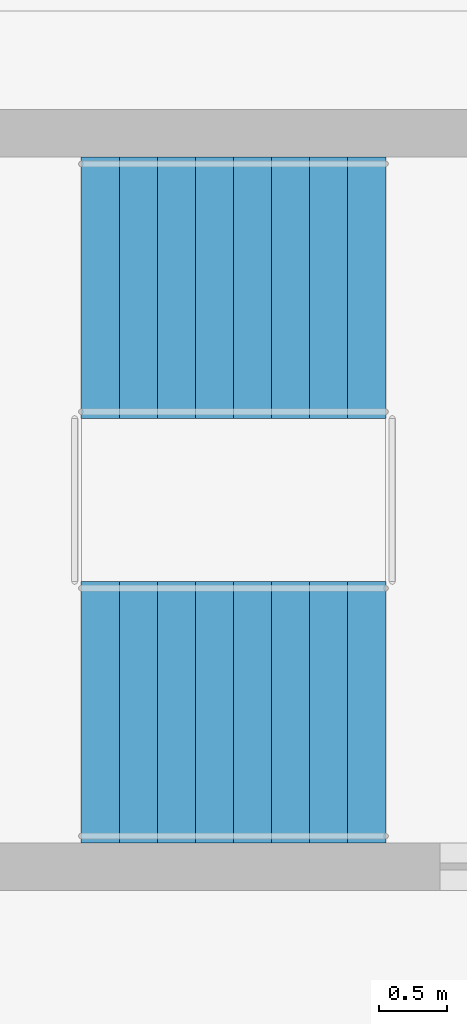
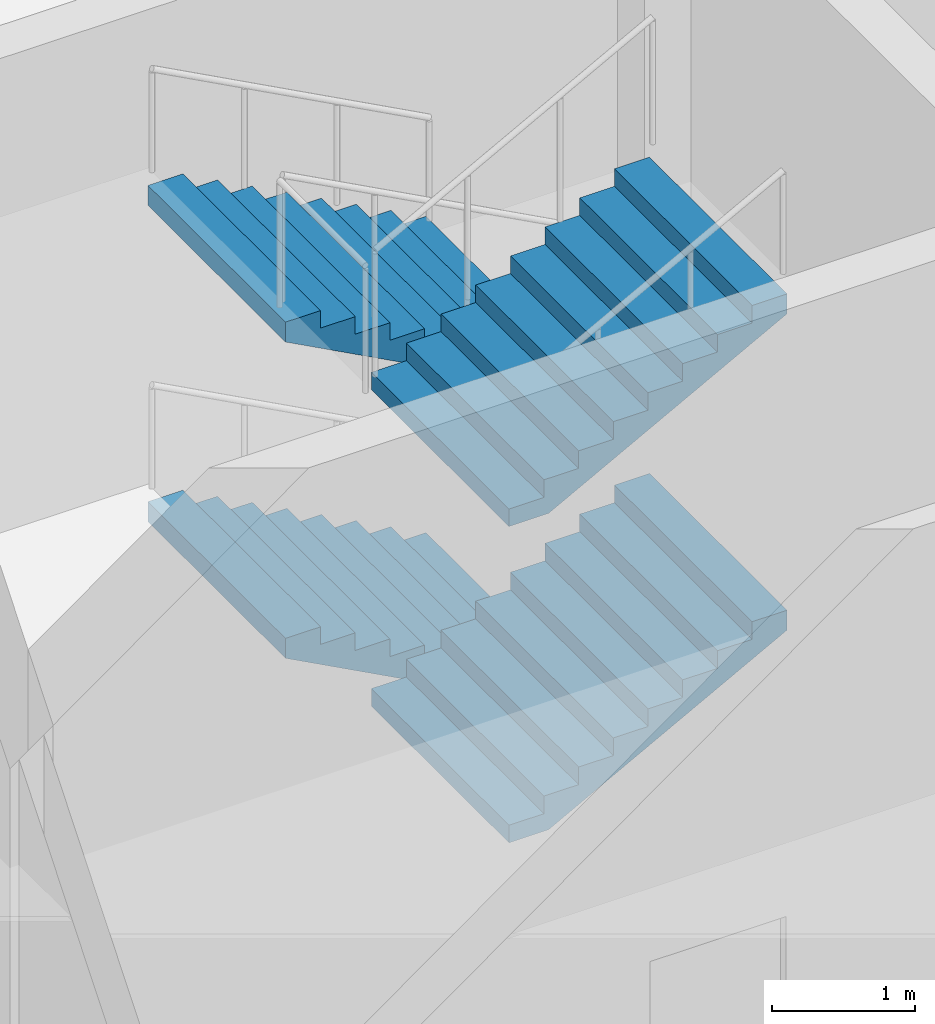
# One storey, part 104 of 146: 4 stair flights, 1 element without a shape of its own.
"""IFC4 building model written with IfcOpenShell, lengths in metres."""

from ifc_helpers import new_model, si_unit, direction, frame, origin, place, context, subcontext, project, spatial, polyline, outline, extrude, material, type_object, element, aggregate, save


model = new_model("IFC4")

# Units and contexts
model_context = context("Model", 3, precision=1e-05, world=origin(), true_north=direction((0.0, 1.0)))
body_context = subcontext(model_context, "Body", "Model", "MODEL_VIEW")
ifc_project = project(units=[si_unit("LENGTHUNIT", "METRE"), si_unit("AREAUNIT", "SQUARE_METRE"), si_unit("VOLUMEUNIT", "CUBIC_METRE"), si_unit("PLANEANGLEUNIT", "RADIAN"), si_unit("MASSUNIT", "GRAM", prefix="KILO")], contexts=[model_context])

# Site, building, storey
site_placement = place(None, origin())
site = spatial("IfcSite", under=ifc_project, at=site_placement, CompositionType="ELEMENT")
building_placement = place(site_placement, origin())
building = spatial("IfcBuilding", under=site, at=building_placement, Name="Bougainvillea Quay General Hospital", CompositionType="ELEMENT")
storey_placement = place(building_placement, origin())
storey = spatial("IfcBuildingStorey", under=building, at=storey_placement, Name="L00", CompositionType="ELEMENT", Elevation=0.0)

# Stair, stair flights
ifc_material = material(Name="Concrete C35", Category="concrete")
stair_type = type_object("IfcStairType", Name="Stair half-turn 1925 wide", PredefinedType="HALF_TURN_STAIR", material=ifc_material)
stair_placement = place(storey_placement, origin())
stair = element("IfcStair", 1, at=stair_placement, inside=storey, type_object=stair_type, Name="L00 stair ST-A4", PredefinedType="HALF_TURN_STAIR")
stair_flight_type = type_object("IfcStairFlightType", Name="Stair flight 1925", PredefinedType="STRAIGHT", material=ifc_material)
stair_flight_1_placement = place(storey_placement, frame((182.699951171875, 158.46240234375, 0.0), z_axis=(0.0, 0.0, 1.0), x_axis=(-1.0, 0.0, 0.0)))
stair_flight_1 = element("IfcStairFlight", 2, at=stair_flight_1_placement, type_object=stair_flight_type, Name="ST-A4 flight 1", NumberOfRisers=9, NumberOfTreads=8, PredefinedType="STRAIGHT", RiserHeight=0.15, TreadLength=0.28, context=body_context, shape_type="SweptSolid", body=[
    extrude(outline(polyline([(-0.0029296875, 0.0), (-0.0029296875, 0.003662109375), (-0.0029296875, 0.00732421875), (-0.0029296875, 0.010986328125), (-0.0029296875, 0.0146484375), (-0.0029296875, 0.018310546875), (-0.0029296875, 0.02197265625), (-0.0029296875, 0.025634765625), (-0.0029296875, 0.029296875), (-0.0029296875, 0.032958984375), (-0.0029296875, 0.03662109375), (-0.0029296875, 0.040283203125), (-0.0029296875, 0.0439453125), (-0.0029296875, 0.047607421875), (-0.0029296875, 0.05126953125), (-0.0029296875, 0.054931640625), (-0.0029296875, 0.05859375), (-0.0029296875, 0.062255859375), (-0.0029296875, 0.06591796875), (-0.0029296875, 0.069580078125), (-0.0029296875, 0.0732421875), (-0.0029296875, 0.076904296875), (-0.0029296875, 0.08056640625), (-0.0029296875, 0.084228515625), (-0.0029296875, 0.087890625), (-0.0029296875, 0.091552734375), (-0.0029296875, 0.09521484375), (-0.0029296875, 0.098876953125), (-0.0029296875, 0.1025390625), (-0.0029296875, 0.106201171875), (-0.0029296875, 0.10986328125), (-0.0029296875, 0.113525390625), (-0.0029296875, 0.1171875), (-0.0029296875, 0.120849609375), (-0.0029296875, 0.12451171875), (-0.0029296875, 0.1279296875), (-0.0029296875, 0.131591796875), (-0.0029296875, 0.13525390625), (-0.0029296875, 0.138916015625), (-0.0029296875, 0.142578125), (-0.0029296875, 0.146240234375), (-0.0029296875, 0.14990234375), (0.280029296875, 0.14990234375), (0.280029296875, 0.300048828125), (0.56005859375, 0.300048828125), (0.56005859375, 0.449951171875), (0.840087890625, 0.449951171875), (0.840087890625, 0.60009765625), (1.1201171875, 0.60009765625), (1.1201171875, 0.75), (1.39990234375, 0.75), (1.39990234375, 0.89990234375), (1.679931640625, 0.89990234375), (1.679931640625, 1.050048828125), (1.9599609375, 1.050048828125), (1.9599609375, 1.199951171875), (2.242919921875, 1.199951171875), (2.242919921875, 1.19580078125), (2.242919921875, 1.191650390625), (2.242919921875, 1.1875), (2.242919921875, 1.183349609375), (2.242919921875, 1.17919921875), (2.242919921875, 1.175048828125), (2.242919921875, 1.1708984375), (2.242919921875, 1.166748046875), (2.242919921875, 1.16259765625), (2.242919921875, 1.158447265625), (2.242919921875, 1.154296875), (2.242919921875, 1.150146484375), (2.242919921875, 1.14599609375), (2.242919921875, 1.141845703125), (2.242919921875, 1.1376953125), (2.242919921875, 1.133544921875), (2.242919921875, 1.12939453125), (2.242919921875, 1.125244140625), (2.242919921875, 1.12109375), (2.242919921875, 1.116943359375), (2.242919921875, 1.11279296875), (2.242919921875, 1.108642578125), (2.242919921875, 1.1044921875), (2.242919921875, 1.100341796875), (2.242919921875, 1.09619140625), (2.242919921875, 1.092041015625), (2.242919921875, 1.087890625), (2.242919921875, 1.083984375), (2.242919921875, 1.079833984375), (2.242919921875, 1.07568359375), (2.242919921875, 1.071533203125), (2.242919921875, 1.0673828125), (2.242919921875, 1.063232421875), (2.242919921875, 1.05908203125), (2.242919921875, 1.054931640625), (2.242919921875, 1.05078125), (2.242919921875, 1.046630859375), (2.242919921875, 1.04248046875), (2.242919921875, 1.038330078125), (2.242919921875, 1.0341796875), (2.242919921875, 1.030029296875), (0.3173828125, 0.0), (-0.0029296875, 0.0)])), frame((0.0, 0.96240234375, 0.0), z_axis=(0.0, -1.0, 0.0), x_axis=(1.0, 0.0, 0.0)), (0.0, 0.0, 1.0), 1.925048828125),
])
stair_flight_2_placement = place(storey_placement, frame((180.4599609375, 155.33740234375, 1.35009765625), z_axis=(0.0, 0.0, 1.0), x_axis=(1.0, 0.0, 0.0)))
stair_flight_2 = element("IfcStairFlight", 3, at=stair_flight_2_placement, type_object=stair_flight_type, Name="ST-A4 flight 2", NumberOfRisers=9, NumberOfTreads=8, PredefinedType="STRAIGHT", RiserHeight=0.15, TreadLength=0.28, context=body_context, shape_type="SweptSolid", body=[
    extrude(outline(polyline([(-0.0029296875, 0.0), (-0.0029296875, 0.003662109375), (-0.0029296875, 0.00732421875), (-0.0029296875, 0.010986328125), (-0.0029296875, 0.0146484375), (-0.0029296875, 0.018310546875), (-0.0029296875, 0.02197265625), (-0.0029296875, 0.025634765625), (-0.0029296875, 0.029296875), (-0.0029296875, 0.032958984375), (-0.0029296875, 0.03662109375), (-0.0029296875, 0.040283203125), (-0.0029296875, 0.0439453125), (-0.0029296875, 0.047607421875), (-0.0029296875, 0.05126953125), (-0.0029296875, 0.054931640625), (-0.0029296875, 0.05859375), (-0.0029296875, 0.062255859375), (-0.0029296875, 0.06591796875), (-0.0029296875, 0.069580078125), (-0.0029296875, 0.0732421875), (-0.0029296875, 0.076904296875), (-0.0029296875, 0.08056640625), (-0.0029296875, 0.084228515625), (-0.0029296875, 0.087890625), (-0.0029296875, 0.091552734375), (-0.0029296875, 0.09521484375), (-0.0029296875, 0.098876953125), (-0.0029296875, 0.1025390625), (-0.0029296875, 0.106201171875), (-0.0029296875, 0.10986328125), (-0.0029296875, 0.113525390625), (-0.0029296875, 0.1171875), (-0.0029296875, 0.120849609375), (-0.0029296875, 0.12451171875), (-0.0029296875, 0.1279296875), (-0.0029296875, 0.131591796875), (-0.0029296875, 0.13525390625), (-0.0029296875, 0.138916015625), (-0.0029296875, 0.142578125), (-0.0029296875, 0.146240234375), (-0.0029296875, 0.14990234375), (0.280029296875, 0.14990234375), (0.280029296875, 0.300048828125), (0.56005859375, 0.300048828125), (0.56005859375, 0.449951171875), (0.840087890625, 0.449951171875), (0.840087890625, 0.60009765625), (1.1201171875, 0.60009765625), (1.1201171875, 0.75), (1.39990234375, 0.75), (1.39990234375, 0.89990234375), (1.679931640625, 0.89990234375), (1.679931640625, 1.050048828125), (1.9599609375, 1.050048828125), (1.9599609375, 1.199951171875), (2.242919921875, 1.199951171875), (2.242919921875, 1.19580078125), (2.242919921875, 1.191650390625), (2.242919921875, 1.1875), (2.242919921875, 1.183349609375), (2.242919921875, 1.17919921875), (2.242919921875, 1.175048828125), (2.242919921875, 1.1708984375), (2.242919921875, 1.166748046875), (2.242919921875, 1.16259765625), (2.242919921875, 1.158447265625), (2.242919921875, 1.154296875), (2.242919921875, 1.150146484375), (2.242919921875, 1.14599609375), (2.242919921875, 1.141845703125), (2.242919921875, 1.1376953125), (2.242919921875, 1.133544921875), (2.242919921875, 1.12939453125), (2.242919921875, 1.125244140625), (2.242919921875, 1.12109375), (2.242919921875, 1.116943359375), (2.242919921875, 1.11279296875), (2.242919921875, 1.108642578125), (2.242919921875, 1.1044921875), (2.242919921875, 1.100341796875), (2.242919921875, 1.09619140625), (2.242919921875, 1.092041015625), (2.242919921875, 1.087890625), (2.242919921875, 1.083984375), (2.242919921875, 1.079833984375), (2.242919921875, 1.07568359375), (2.242919921875, 1.071533203125), (2.242919921875, 1.0673828125), (2.242919921875, 1.063232421875), (2.242919921875, 1.05908203125), (2.242919921875, 1.054931640625), (2.242919921875, 1.05078125), (2.242919921875, 1.046630859375), (2.242919921875, 1.04248046875), (2.242919921875, 1.038330078125), (2.242919921875, 1.0341796875), (2.242919921875, 1.030029296875), (0.3173828125, 0.0), (-0.0029296875, 0.0)])), frame((0.0, 0.96240234375, 0.0), z_axis=(0.0, -1.0, 0.0), x_axis=(1.0, 0.0, 0.0)), (0.0, 0.0, 1.0), 1.925048828125),
])
stair_flight_3_placement = place(storey_placement, frame((182.699951171875, 158.46240234375, 2.699951171875), z_axis=(0.0, 0.0, 1.0), x_axis=(-1.0, 0.0, 0.0)))
stair_flight_3 = element("IfcStairFlight", 4, at=stair_flight_3_placement, type_object=stair_flight_type, Name="ST-A4 flight 3", NumberOfRisers=9, NumberOfTreads=8, PredefinedType="STRAIGHT", RiserHeight=0.15, TreadLength=0.28, context=body_context, shape_type="SweptSolid", body=[
    extrude(outline(polyline([(-0.0029296875, 0.0), (-0.0029296875, 0.003662109375), (-0.0029296875, 0.00732421875), (-0.0029296875, 0.010986328125), (-0.0029296875, 0.0146484375), (-0.0029296875, 0.018310546875), (-0.0029296875, 0.02197265625), (-0.0029296875, 0.025634765625), (-0.0029296875, 0.029296875), (-0.0029296875, 0.032958984375), (-0.0029296875, 0.03662109375), (-0.0029296875, 0.040283203125), (-0.0029296875, 0.0439453125), (-0.0029296875, 0.047607421875), (-0.0029296875, 0.05126953125), (-0.0029296875, 0.054931640625), (-0.0029296875, 0.05859375), (-0.0029296875, 0.062255859375), (-0.0029296875, 0.06591796875), (-0.0029296875, 0.069580078125), (-0.0029296875, 0.0732421875), (-0.0029296875, 0.076904296875), (-0.0029296875, 0.08056640625), (-0.0029296875, 0.084228515625), (-0.0029296875, 0.087890625), (-0.0029296875, 0.091552734375), (-0.0029296875, 0.09521484375), (-0.0029296875, 0.098876953125), (-0.0029296875, 0.1025390625), (-0.0029296875, 0.106201171875), (-0.0029296875, 0.10986328125), (-0.0029296875, 0.113525390625), (-0.0029296875, 0.1171875), (-0.0029296875, 0.120849609375), (-0.0029296875, 0.12451171875), (-0.0029296875, 0.1279296875), (-0.0029296875, 0.131591796875), (-0.0029296875, 0.13525390625), (-0.0029296875, 0.138916015625), (-0.0029296875, 0.142578125), (-0.0029296875, 0.146240234375), (-0.0029296875, 0.14990234375), (0.280029296875, 0.14990234375), (0.280029296875, 0.300048828125), (0.56005859375, 0.300048828125), (0.56005859375, 0.449951171875), (0.840087890625, 0.449951171875), (0.840087890625, 0.60009765625), (1.1201171875, 0.60009765625), (1.1201171875, 0.75), (1.39990234375, 0.75), (1.39990234375, 0.89990234375), (1.679931640625, 0.89990234375), (1.679931640625, 1.050048828125), (1.9599609375, 1.050048828125), (1.9599609375, 1.199951171875), (2.242919921875, 1.199951171875), (2.242919921875, 1.19580078125), (2.242919921875, 1.191650390625), (2.242919921875, 1.1875), (2.242919921875, 1.183349609375), (2.242919921875, 1.17919921875), (2.242919921875, 1.175048828125), (2.242919921875, 1.1708984375), (2.242919921875, 1.166748046875), (2.242919921875, 1.16259765625), (2.242919921875, 1.158447265625), (2.242919921875, 1.154296875), (2.242919921875, 1.150146484375), (2.242919921875, 1.14599609375), (2.242919921875, 1.141845703125), (2.242919921875, 1.1376953125), (2.242919921875, 1.133544921875), (2.242919921875, 1.12939453125), (2.242919921875, 1.125244140625), (2.242919921875, 1.12109375), (2.242919921875, 1.116943359375), (2.242919921875, 1.11279296875), (2.242919921875, 1.108642578125), (2.242919921875, 1.1044921875), (2.242919921875, 1.100341796875), (2.242919921875, 1.09619140625), (2.242919921875, 1.092041015625), (2.242919921875, 1.087890625), (2.242919921875, 1.083984375), (2.242919921875, 1.079833984375), (2.242919921875, 1.07568359375), (2.242919921875, 1.071533203125), (2.242919921875, 1.0673828125), (2.242919921875, 1.063232421875), (2.242919921875, 1.05908203125), (2.242919921875, 1.054931640625), (2.242919921875, 1.05078125), (2.242919921875, 1.046630859375), (2.242919921875, 1.04248046875), (2.242919921875, 1.038330078125), (2.242919921875, 1.0341796875), (2.242919921875, 1.030029296875), (0.3173828125, 0.0), (-0.0029296875, 0.0)])), frame((0.0, 0.96240234375, 0.0), z_axis=(0.0, -1.0, 0.0), x_axis=(1.0, 0.0, 0.0)), (0.0, 0.0, 1.0), 1.925048828125),
])
stair_flight_4_placement = place(storey_placement, frame((180.4599609375, 155.33740234375, 4.050048828125), z_axis=(0.0, 0.0, 1.0), x_axis=(1.0, 0.0, 0.0)))
stair_flight_4 = element("IfcStairFlight", 5, at=stair_flight_4_placement, type_object=stair_flight_type, Name="ST-A4 flight 4", NumberOfRisers=9, NumberOfTreads=8, PredefinedType="STRAIGHT", RiserHeight=0.15, TreadLength=0.28, context=body_context, shape_type="SweptSolid", body=[
    extrude(outline(polyline([(-0.0029296875, 0.0), (-0.0029296875, 0.003662109375), (-0.0029296875, 0.00732421875), (-0.0029296875, 0.010986328125), (-0.0029296875, 0.0146484375), (-0.0029296875, 0.018310546875), (-0.0029296875, 0.02197265625), (-0.0029296875, 0.025634765625), (-0.0029296875, 0.029296875), (-0.0029296875, 0.032958984375), (-0.0029296875, 0.03662109375), (-0.0029296875, 0.040283203125), (-0.0029296875, 0.0439453125), (-0.0029296875, 0.047607421875), (-0.0029296875, 0.05126953125), (-0.0029296875, 0.054931640625), (-0.0029296875, 0.05859375), (-0.0029296875, 0.062255859375), (-0.0029296875, 0.06591796875), (-0.0029296875, 0.069580078125), (-0.0029296875, 0.0732421875), (-0.0029296875, 0.076904296875), (-0.0029296875, 0.08056640625), (-0.0029296875, 0.084228515625), (-0.0029296875, 0.087890625), (-0.0029296875, 0.091552734375), (-0.0029296875, 0.09521484375), (-0.0029296875, 0.098876953125), (-0.0029296875, 0.1025390625), (-0.0029296875, 0.106201171875), (-0.0029296875, 0.10986328125), (-0.0029296875, 0.113525390625), (-0.0029296875, 0.1171875), (-0.0029296875, 0.120849609375), (-0.0029296875, 0.12451171875), (-0.0029296875, 0.1279296875), (-0.0029296875, 0.131591796875), (-0.0029296875, 0.13525390625), (-0.0029296875, 0.138916015625), (-0.0029296875, 0.142578125), (-0.0029296875, 0.146240234375), (-0.0029296875, 0.14990234375), (0.280029296875, 0.14990234375), (0.280029296875, 0.300048828125), (0.56005859375, 0.300048828125), (0.56005859375, 0.449951171875), (0.840087890625, 0.449951171875), (0.840087890625, 0.60009765625), (1.1201171875, 0.60009765625), (1.1201171875, 0.75), (1.39990234375, 0.75), (1.39990234375, 0.89990234375), (1.679931640625, 0.89990234375), (1.679931640625, 1.050048828125), (1.9599609375, 1.050048828125), (1.9599609375, 1.199951171875), (2.242919921875, 1.199951171875), (2.242919921875, 1.19580078125), (2.242919921875, 1.191650390625), (2.242919921875, 1.1875), (2.242919921875, 1.183349609375), (2.242919921875, 1.17919921875), (2.242919921875, 1.175048828125), (2.242919921875, 1.1708984375), (2.242919921875, 1.166748046875), (2.242919921875, 1.16259765625), (2.242919921875, 1.158447265625), (2.242919921875, 1.154296875), (2.242919921875, 1.150146484375), (2.242919921875, 1.14599609375), (2.242919921875, 1.141845703125), (2.242919921875, 1.1376953125), (2.242919921875, 1.133544921875), (2.242919921875, 1.12939453125), (2.242919921875, 1.125244140625), (2.242919921875, 1.12109375), (2.242919921875, 1.116943359375), (2.242919921875, 1.11279296875), (2.242919921875, 1.108642578125), (2.242919921875, 1.1044921875), (2.242919921875, 1.100341796875), (2.242919921875, 1.09619140625), (2.242919921875, 1.092041015625), (2.242919921875, 1.087890625), (2.242919921875, 1.083984375), (2.242919921875, 1.079833984375), (2.242919921875, 1.07568359375), (2.242919921875, 1.071533203125), (2.242919921875, 1.0673828125), (2.242919921875, 1.063232421875), (2.242919921875, 1.05908203125), (2.242919921875, 1.054931640625), (2.242919921875, 1.05078125), (2.242919921875, 1.046630859375), (2.242919921875, 1.04248046875), (2.242919921875, 1.038330078125), (2.242919921875, 1.0341796875), (2.242919921875, 1.030029296875), (0.3173828125, 0.0), (-0.0029296875, 0.0)])), frame((0.0, 0.96240234375, 0.0), z_axis=(0.0, -1.0, 0.0), x_axis=(1.0, 0.0, 0.0)), (0.0, 0.0, 1.0), 1.925048828125),
])
aggregate(stair, [stair_flight_1, stair_flight_2, stair_flight_3, stair_flight_4])

save(model, "model.ifc")
